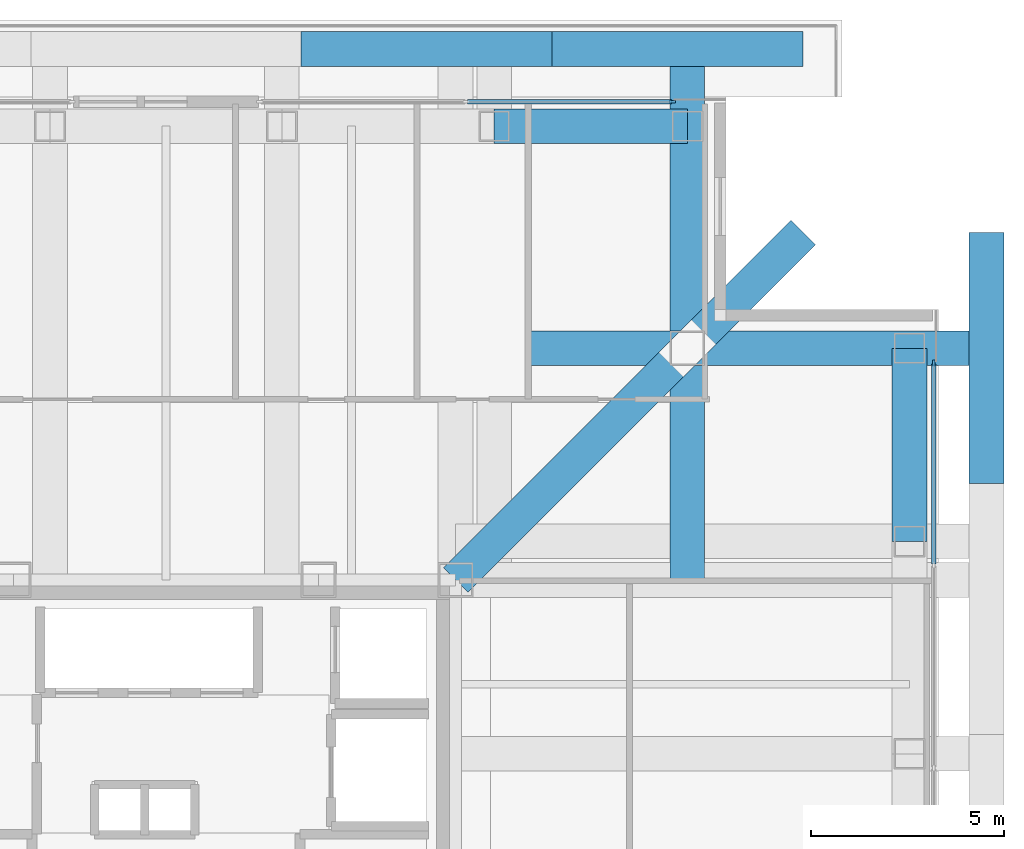
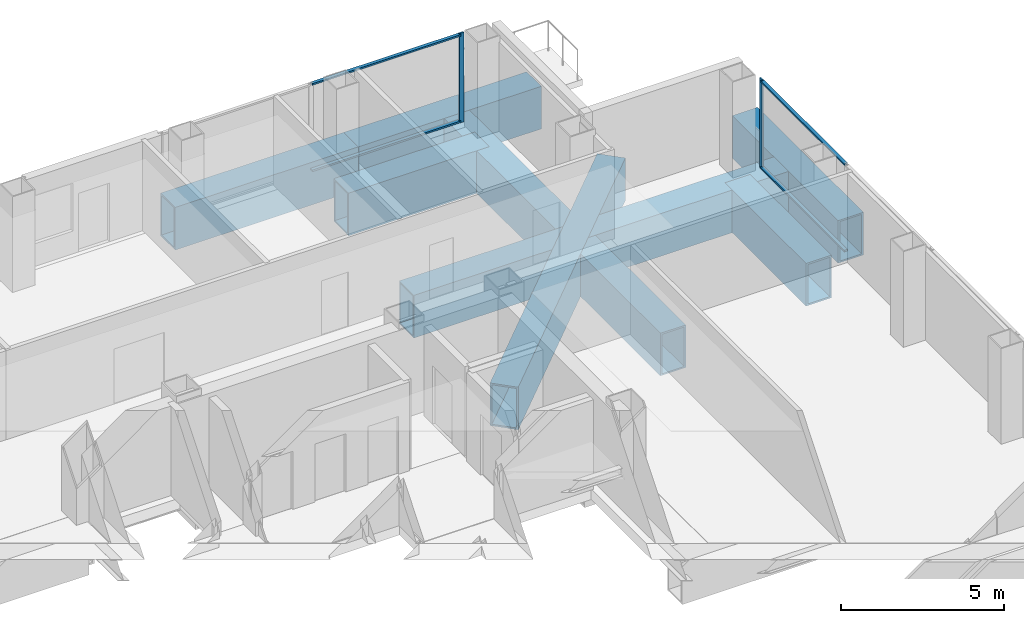
# One storey, part 8 of 14: 8 beams, 6 members, 2 elements without a shape of their own.
"""IFC4 building model written with IfcOpenShell, lengths in metres."""

from ifc_helpers import new_model, si_unit, direction, frame, origin, origin_2d, place, context, subcontext, project, spatial, rectangle, hollow_rectangle, extrude, material, layer, layer_set, material_profile, profile_set, type_object, element, aggregate, save


model = new_model("IFC4")

# Units and contexts
model_context = context("Model", 3, precision=1e-05, world=origin(), true_north=direction((0.0, 1.0)))
body_context = subcontext(model_context, "Body", "Model", "MODEL_VIEW")
ifc_project = project(units=[si_unit("LENGTHUNIT", "METRE"), si_unit("AREAUNIT", "SQUARE_METRE"), si_unit("VOLUMEUNIT", "CUBIC_METRE"), si_unit("PLANEANGLEUNIT", "RADIAN"), si_unit("MASSUNIT", "GRAM", prefix="KILO")], contexts=[model_context])

# Site, building, storey
site_placement = place(None, origin())
site = spatial("IfcSite", under=ifc_project, at=site_placement, CompositionType="ELEMENT")
building_placement = place(site_placement, origin())
building = spatial("IfcBuilding", under=site, at=building_placement, Name="Trevonay Congress Spire", CompositionType="ELEMENT")
storey_placement = place(building_placement, frame((0.0, 0.0, 166.199951171875)))
storey = spatial("IfcBuildingStorey", under=building, at=storey_placement, Name="L42", CompositionType="ELEMENT", Elevation=166.199951171875)

# Beams
ifc_material_1 = material(Name="Steel ASTM A572 Grade 50", Category="steel")
ifc_material_profile_1 = material_profile(ifc_material_1, hollow_rectangle(XDim=0.89990234375, YDim=1.60009765625, WallThickness=0.06005859375, at=origin_2d()), Name="BOX 1600x900x60")
ifc_profile_set_1 = profile_set([ifc_material_profile_1], Name="Steel ASTM A572 Grade 50")
beam_type_1 = type_object("IfcBeamType", Name="BM-RING-BOX1600", PredefinedType="BEAM", material=ifc_profile_set_1)
for number, where, z_axis, x_axis, name in (
    (1, (8.5, 19.25, -1.199951171875), (1.0, 0.0, 0.0), (0.0, 1.0, 0.0), "L42 structural beam BM-L42-PN5"),
    (2, (19.25, 8.5, -1.199951171875), (0.0, 1.0, 0.0), (-1.0, 0.0, 0.0), "L42 structural beam BM-L42-PE5"),
):
    element("IfcBeam", number, at=place(storey_placement, frame(where, z_axis=z_axis, x_axis=x_axis)), inside=storey, type_object=beam_type_1, Name=name, PredefinedType="BEAM", context=body_context, shape_type="SweptSolid", body=[
        extrude(hollow_rectangle(XDim=0.89990234375, YDim=1.60009765625, WallThickness=0.06005859375, at=origin_2d()), origin(), (0.0, 0.0, 1.0), 5.0),
    ])
for number, where, z_axis, x_axis, name in (
    (3, (3.5, 21.25, -1.199951171875), (1.0, 0.0, 0.0), (0.0, 1.0, 0.0), "L42 structural beam XOUT-L42-N3"),
    (4, (10.0, 21.25, -1.199951171875), (1.0, 0.0, 0.0), (0.0, 1.0, 0.0), "L42 structural beam XOUT-L42-N4"),
    (5, (21.25, 10.0, -1.199951171875), (0.0, 1.0, 0.0), (-1.0, 0.0, 0.0), "L42 structural beam XOUT-L42-E4"),
):
    element("IfcBeam", number, at=place(storey_placement, frame(where, z_axis=z_axis, x_axis=x_axis)), inside=storey, type_object=beam_type_1, Name=name, PredefinedType="BEAM", context=body_context, shape_type="SweptSolid", body=[
        extrude(hollow_rectangle(XDim=0.89990234375, YDim=1.60009765625, WallThickness=0.06005859375, at=origin_2d()), origin(), (0.0, 0.0, 1.0), 6.5),
    ])
ifc_material_profile_2 = material_profile(ifc_material_1, hollow_rectangle(XDim=0.89990234375, YDim=1.60009765625, WallThickness=0.06005859375, at=origin_2d()), Name="BOX 1600x900x60")
ifc_profile_set_2 = profile_set([ifc_material_profile_2], Name="Steel ASTM A572 Grade 50")
beam_type_2 = type_object("IfcBeamType", Name="BM-XFER-BOX1600", PredefinedType="BEAM", material=ifc_profile_set_2)
beam_placement = place(storey_placement, frame((7.5, 7.5, -1.199951171875), z_axis=(0.707106781187, 0.707106781187, 0.0), x_axis=(-0.707106781187, 0.707106781187, 0.0)))
element("IfcBeam", 6, at=beam_placement, inside=storey, type_object=beam_type_2, Name="L42 structural beam BM-L42-CDNE", PredefinedType="BEAM", context=body_context, shape_type="SweptSolid", body=[
    extrude(hollow_rectangle(XDim=0.89990234375, YDim=1.60009765625, WallThickness=0.06005859375, at=origin_2d()), origin(), (0.0, 0.0, 1.0), 12.72802734375),
])
for number, where, z_axis, x_axis, name in (
    (7, (13.5, 7.5, -1.199951171875), (0.0, 1.0, 0.0), (-1.0, 0.0, 0.0), "L42 structural beam XFER-L42-N5"),
    (8, (7.5, 13.5, -1.199951171875), (1.0, 0.0, 0.0), (0.0, 1.0, 0.0), "L42 structural beam XFER-L42-E5"),
):
    element("IfcBeam", number, at=place(storey_placement, frame(where, z_axis=z_axis, x_axis=x_axis)), inside=storey, type_object=beam_type_2, Name=name, PredefinedType="BEAM", context=body_context, shape_type="SweptSolid", body=[
        extrude(hollow_rectangle(XDim=0.89990234375, YDim=1.60009765625, WallThickness=0.06005859375, at=origin_2d()), origin(), (0.0, 0.0, 1.0), 13.75),
    ])

# Curtain wall, member
ifc_material_2 = material(Name="Pale Anodised Aluminium EN AW-6063-T6", Category="aluminium")
ifc_layer = layer(ifc_material_2, 0.169921875, Name="Pale Anodised Aluminium EN AW-6063-T6")
ifc_layer_set = layer_set([ifc_layer], Name="Pale Anodised Aluminium EN AW-6063-T6")
curtain_wall_type = type_object("IfcCurtainWallType", Name="CW-SYS04-CORP-PALE-METAL", PredefinedType="NOTDEFINED", material=ifc_layer_set)
curtain_wall_1_placement = place(storey_placement, origin())
curtain_wall_1 = element("IfcCurtainWall", 9, at=curtain_wall_1_placement, inside=storey, type_object=curtain_wall_type, Name="L42 NB unitised curtain wall", PredefinedType="NOTDEFINED")
ifc_material_profile_3 = material_profile(ifc_material_2, rectangle(XDim=0.06005859375, YDim=0.159912109375, at=origin_2d()), Name="CW-MULLION-160-ALUMINIUM")
ifc_profile_set_3 = profile_set([ifc_material_profile_3], Name="Pale Anodised Aluminium EN AW-6063-T6")
member_type_1 = type_object("IfcMemberType", Name="CW-MULLION-160-ALUMINIUM", PredefinedType="MULLION", material=ifc_profile_set_3)
member_1_placement = place(storey_placement, frame((13.1201171875, 19.8798828125, 0.0), z_axis=(0.0, 0.0, 1.0), x_axis=(0.0, 1.0, 0.0)))
member_1 = element("IfcMember", 10, at=member_1_placement, type_object=member_type_1, Name="CW04 mullion 3", PredefinedType="MULLION", context=body_context, shape_type="SweptSolid", body=[
    extrude(rectangle(XDim=0.06005859375, YDim=0.159912109375, at=origin_2d()), origin(), (0.0, 0.0, 1.0), 3.360107421875),
])

curtain_wall_2_placement = place(storey_placement, origin())
curtain_wall_2 = element("IfcCurtainWall", 11, at=curtain_wall_2_placement, inside=storey, type_object=curtain_wall_type, Name="L42 E unitised curtain wall", PredefinedType="NOTDEFINED")
member_2_placement = place(storey_placement, frame((19.8798828125, 13.1201171875, 0.0), z_axis=(0.0, 0.0, 1.0), x_axis=(-1.0, 0.0, 0.0)))
member_2 = element("IfcMember", 12, at=member_2_placement, type_object=member_type_1, Name="CW04 mullion 6", PredefinedType="MULLION", context=body_context, shape_type="SweptSolid", body=[
    extrude(rectangle(XDim=0.06005859375, YDim=0.159912109375, at=origin_2d()), origin(), (0.0, 0.0, 1.0), 3.360107421875),
])

# Member
ifc_material_profile_4 = material_profile(ifc_material_2, rectangle(XDim=0.1201171875, YDim=0.06005859375, at=origin_2d()), Name="CW-TRANSOM-120-ALUMINIUM")
ifc_profile_set_4 = profile_set([ifc_material_profile_4], Name="Pale Anodised Aluminium EN AW-6063-T6")
member_type_2 = type_object("IfcMemberType", Name="CW-TRANSOM-120-ALUMINIUM", PredefinedType="USERDEFINED", material=ifc_profile_set_4)
member_3_placement = place(storey_placement, frame((7.804931640625, 19.8798828125, 0.06005859375), z_axis=(1.0, 0.0, 0.0), x_axis=(0.0, 1.0, 0.0)))
member_3 = element("IfcMember", 13, at=member_3_placement, type_object=member_type_2, Name="CW04 transom 2.1", ObjectType="TRANSOM", PredefinedType="USERDEFINED", context=body_context, shape_type="SweptSolid", body=[
    extrude(rectangle(XDim=0.1201171875, YDim=0.06005859375, at=origin_2d()), origin(), (0.0, 0.0, 1.0), 5.28515625),
])

member_4_placement = place(storey_placement, frame((7.804931640625, 19.8798828125, 3.300048828125), z_axis=(1.0, 0.0, 0.0), x_axis=(0.0, 1.0, 0.0)))
member_4 = element("IfcMember", 14, at=member_4_placement, type_object=member_type_2, Name="CW04 transom 2.2", ObjectType="TRANSOM", PredefinedType="USERDEFINED", context=body_context, shape_type="SweptSolid", body=[
    extrude(rectangle(XDim=0.1201171875, YDim=0.06005859375, at=origin_2d()), origin(), (0.0, 0.0, 1.0), 5.28515625),
])

aggregate(curtain_wall_1, [member_1, member_3, member_4])

member_5_placement = place(storey_placement, frame((19.8798828125, 7.919921875, 0.06005859375), z_axis=(0.0, 1.0, 0.0), x_axis=(-1.0, 0.0, 0.0)))
member_5 = element("IfcMember", 15, at=member_5_placement, type_object=member_type_2, Name="CW04 transom 5.1", ObjectType="TRANSOM", PredefinedType="USERDEFINED", context=body_context, shape_type="SweptSolid", body=[
    extrude(rectangle(XDim=0.1201171875, YDim=0.06005859375, at=origin_2d()), origin(), (0.0, 0.0, 1.0), 5.170166015625),
])

member_6_placement = place(storey_placement, frame((19.8798828125, 7.919921875, 3.300048828125), z_axis=(0.0, 1.0, 0.0), x_axis=(-1.0, 0.0, 0.0)))
member_6 = element("IfcMember", 16, at=member_6_placement, type_object=member_type_2, Name="CW04 transom 5.2", ObjectType="TRANSOM", PredefinedType="USERDEFINED", context=body_context, shape_type="SweptSolid", body=[
    extrude(rectangle(XDim=0.1201171875, YDim=0.06005859375, at=origin_2d()), origin(), (0.0, 0.0, 1.0), 5.170166015625),
])

aggregate(curtain_wall_2, [member_2, member_5, member_6])

save(model, "model.ifc")
